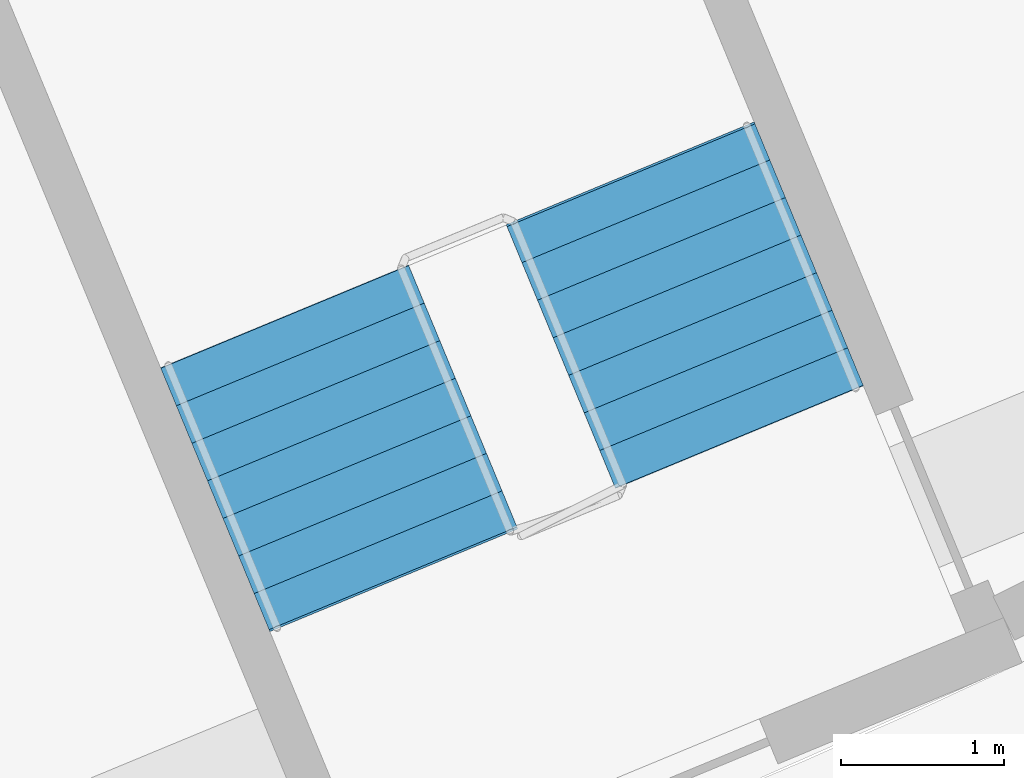
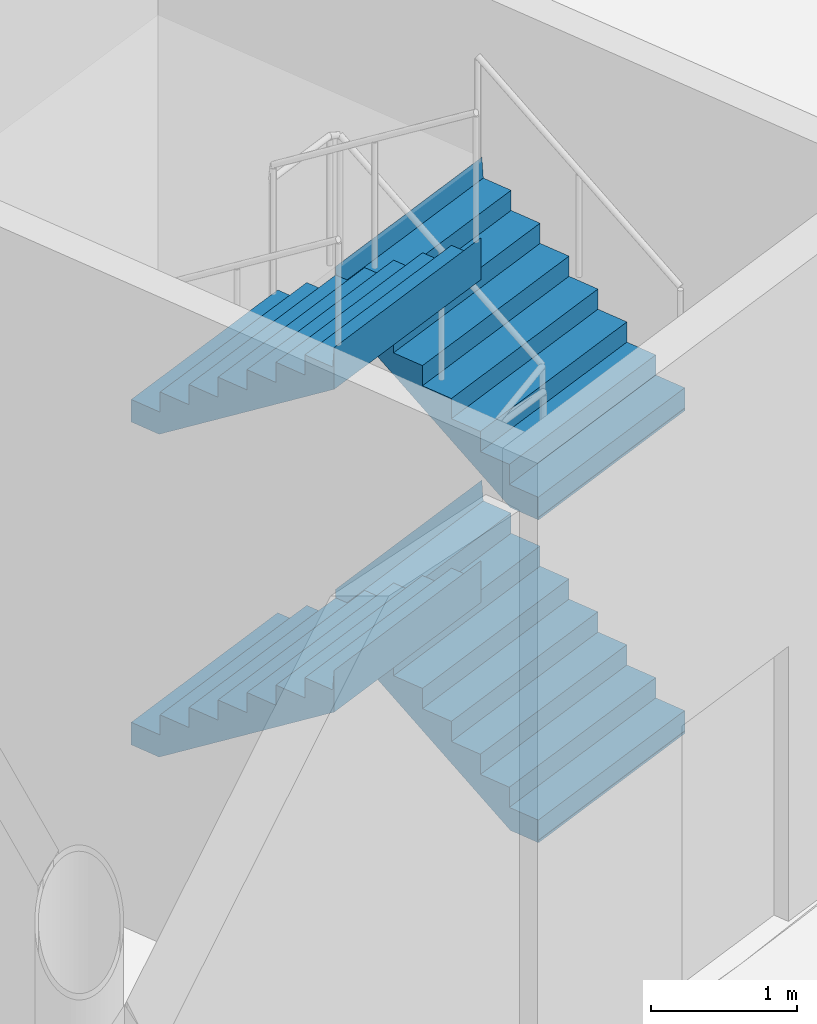
# One storey, part 30 of 41: 4 stair flights, 1 element without a shape of its own.
"""IFC4 building model written with IfcOpenShell, lengths in metres."""

from ifc_helpers import new_model, si_unit, direction, frame, origin, place, context, subcontext, project, spatial, triangles, material, type_object, element, aggregate, save


model = new_model("IFC4")

# Units and contexts
model_context = context("Model", 3, precision=1e-05, world=origin(), true_north=direction((0.0, 1.0)))
body_context = subcontext(model_context, "Body", "Model", "MODEL_VIEW")
ifc_project = project(units=[si_unit("LENGTHUNIT", "METRE"), si_unit("AREAUNIT", "SQUARE_METRE"), si_unit("VOLUMEUNIT", "CUBIC_METRE"), si_unit("PLANEANGLEUNIT", "RADIAN"), si_unit("MASSUNIT", "GRAM", prefix="KILO")], contexts=[model_context])

# Site, building, storey
site_placement = place(None, origin())
site = spatial("IfcSite", under=ifc_project, at=site_placement, CompositionType="ELEMENT")
building_placement = place(site_placement, origin())
building = spatial("IfcBuilding", under=site, at=building_placement, Name="Maasbend Ring Residences", CompositionType="ELEMENT")
storey_placement = place(building_placement, origin())
storey = spatial("IfcBuildingStorey", under=building, at=storey_placement, Name="L00", CompositionType="ELEMENT", Elevation=0.0)

# Stair, stair flights
ifc_material_1 = material(Name="Concrete C40/50", Category="concrete")
stair_type = type_object("IfcStairType", Name="CORE STAIR 32 RISERS", PredefinedType="HALF_TURN_STAIR", material=ifc_material_1)
stair_placement = place(storey_placement, origin())
stair = element("IfcStair", 1, at=stair_placement, inside=storey, type_object=stair_type, Name="L00 Exit stair ST-P2", PredefinedType="HALF_TURN_STAIR")
ifc_material_2 = material(Name="Concrete C40/50", Category="concrete")
stair_flight_type = type_object("IfcStairFlightType", Name="CORE STAIR FLIGHT 1650", PredefinedType="STRAIGHT", material=ifc_material_2)
stair_flight_1_placement = place(storey_placement, frame((17.900634765625, -40.210693359375, 0.0), z_axis=(0.0, 0.0, 1.0), x_axis=(-0.382683432365, 0.923879532511, 0.0)))
stair_flight_1 = element("IfcStairFlight", 2, at=stair_flight_1_placement, type_object=stair_flight_type, Name="ST-P2 flight 1", NumberOfRisers=8, NumberOfTreads=7, PredefinedType="STRAIGHT", RiserHeight=0.16875, TreadLength=0.25, context=body_context, shape_type="Tessellation", body=[
    triangles([(0.2412109375, 0.824951171875, -0.02001953125), (1.7529296875, 0.824951171875, 1.00048828125), (1.7529296875, 0.824951171875, 1.35009765625), (1.739990234375, 0.824951171875, 1.18115234375), (1.5, 0.824951171875, 1.18115234375), (1.5, 0.824951171875, 1.012451171875), (1.25, 0.824951171875, 1.012451171875), (1.25, 0.824951171875, 0.84375), (1.0, 0.824951171875, 0.84375), (1.0, 0.824951171875, 0.675048828125), (0.75, 0.824951171875, 0.675048828125), (0.75, 0.824951171875, 0.50634765625), (0.5, 0.824951171875, 0.50634765625), (0.5, 0.824951171875, 0.33740234375), (0.25, 0.824951171875, 0.33740234375), (0.25, 0.824951171875, 0.168701171875), (0.0, 0.824951171875, 0.168701171875), (0.0, 0.824951171875, 0.0), (-0.0029296875, 0.824951171875, 0.0), (-0.0029296875, 0.824951171875, -0.02001953125), (0.2412109375, 0.41259765625, -0.02001953125), (1.7529296875, 0.41259765625, 1.00048828125), (1.7529296875, 0.41259765625, 1.35009765625), (1.739990234375, 0.41259765625, 1.18115234375), (1.5, 0.41259765625, 1.18115234375), (1.5, 0.41259765625, 1.012451171875), (1.25, 0.41259765625, 1.012451171875), (1.25, 0.41259765625, 0.84375), (1.0, 0.41259765625, 0.84375), (1.0, 0.41259765625, 0.675048828125), (0.75, 0.41259765625, 0.675048828125), (0.75, 0.41259765625, 0.50634765625), (0.5, 0.41259765625, 0.50634765625), (0.5, 0.41259765625, 0.33740234375), (0.25, 0.41259765625, 0.33740234375), (0.25, 0.41259765625, 0.168701171875), (0.0, 0.41259765625, 0.168701171875), (0.0, 0.41259765625, 0.0), (-0.0029296875, 0.41259765625, 0.0), (-0.0029296875, 0.41259765625, -0.02001953125), (0.2412109375, 0.0, -0.02001953125), (1.7529296875, 0.0, 1.00048828125), (1.7529296875, 0.0, 1.35009765625), (1.739990234375, 0.0, 1.18115234375), (1.5, 0.0, 1.18115234375), (1.5, 0.0, 1.012451171875), (1.25, 0.0, 1.012451171875), (1.25, 0.0, 0.84375), (1.0, 0.0, 0.84375), (1.0, 0.0, 0.675048828125), (0.75, 0.0, 0.675048828125), (0.75, 0.0, 0.50634765625), (0.5, 0.0, 0.50634765625), (0.5, 0.0, 0.33740234375), (0.25, 0.0, 0.33740234375), (0.25, 0.0, 0.168701171875), (0.0, 0.0, 0.168701171875), (0.0, 0.0, 0.0), (-0.0029296875, 0.0, 0.0), (-0.0029296875, 0.0, -0.02001953125), (0.2412109375, -0.41259765625, -0.02001953125), (1.7529296875, -0.41259765625, 1.00048828125), (1.7529296875, -0.41259765625, 1.35009765625), (1.739990234375, -0.41259765625, 1.18115234375), (1.5, -0.41259765625, 1.18115234375), (1.5, -0.41259765625, 1.012451171875), (1.25, -0.41259765625, 1.012451171875), (1.25, -0.41259765625, 0.84375), (1.0, -0.41259765625, 0.84375), (1.0, -0.41259765625, 0.675048828125), (0.75, -0.41259765625, 0.675048828125), (0.75, -0.41259765625, 0.50634765625), (0.5, -0.41259765625, 0.50634765625), (0.5, -0.41259765625, 0.33740234375), (0.25, -0.41259765625, 0.33740234375), (0.25, -0.41259765625, 0.168701171875), (0.0, -0.41259765625, 0.168701171875), (0.0, -0.41259765625, 0.0), (-0.0029296875, -0.41259765625, 0.0), (-0.0029296875, -0.41259765625, -0.02001953125), (0.2412109375, -0.824951171875, -0.02001953125), (1.7529296875, -0.824951171875, 1.00048828125), (1.7529296875, -0.824951171875, 1.35009765625), (1.739990234375, -0.824951171875, 1.18115234375), (1.5, -0.824951171875, 1.18115234375), (1.5, -0.824951171875, 1.012451171875), (1.25, -0.824951171875, 1.012451171875), (1.25, -0.824951171875, 0.84375), (1.0, -0.824951171875, 0.84375), (1.0, -0.824951171875, 0.675048828125), (0.75, -0.824951171875, 0.675048828125), (0.75, -0.824951171875, 0.50634765625), (0.5, -0.824951171875, 0.50634765625), (0.5, -0.824951171875, 0.33740234375), (0.25, -0.824951171875, 0.33740234375), (0.25, -0.824951171875, 0.168701171875), (0.0, -0.824951171875, 0.168701171875), (0.0, -0.824951171875, 0.0), (-0.0029296875, -0.824951171875, 0.0), (-0.0029296875, -0.824951171875, -0.02001953125)], [[1, 2, 22], [1, 22, 21], [21, 22, 42], [21, 42, 41], [41, 42, 62], [41, 62, 61], [61, 62, 82], [61, 82, 81], [2, 3, 23], [2, 23, 22], [22, 23, 43], [22, 43, 42], [42, 43, 63], [42, 63, 62], [62, 63, 83], [62, 83, 82], [3, 4, 24], [3, 24, 23], [23, 24, 44], [23, 44, 43], [43, 44, 64], [43, 64, 63], [63, 64, 84], [63, 84, 83], [4, 5, 25], [4, 25, 24], [24, 25, 45], [24, 45, 44], [44, 45, 65], [44, 65, 64], [64, 65, 85], [64, 85, 84], [5, 6, 26], [5, 26, 25], [25, 26, 46], [25, 46, 45], [45, 46, 66], [45, 66, 65], [65, 66, 86], [65, 86, 85], [6, 7, 27], [6, 27, 26], [26, 27, 47], [26, 47, 46], [46, 47, 67], [46, 67, 66], [66, 67, 87], [66, 87, 86], [7, 8, 28], [7, 28, 27], [27, 28, 48], [27, 48, 47], [47, 48, 68], [47, 68, 67], [67, 68, 88], [67, 88, 87], [8, 9, 29], [8, 29, 28], [28, 29, 49], [28, 49, 48], [48, 49, 69], [48, 69, 68], [68, 69, 89], [68, 89, 88], [9, 10, 30], [9, 30, 29], [29, 30, 50], [29, 50, 49], [49, 50, 70], [49, 70, 69], [69, 70, 90], [69, 90, 89], [10, 11, 31], [10, 31, 30], [30, 31, 51], [30, 51, 50], [50, 51, 71], [50, 71, 70], [70, 71, 91], [70, 91, 90], [11, 12, 32], [11, 32, 31], [31, 32, 52], [31, 52, 51], [51, 52, 72], [51, 72, 71], [71, 72, 92], [71, 92, 91], [12, 13, 33], [12, 33, 32], [32, 33, 53], [32, 53, 52], [52, 53, 73], [52, 73, 72], [72, 73, 93], [72, 93, 92], [13, 14, 34], [13, 34, 33], [33, 34, 54], [33, 54, 53], [53, 54, 74], [53, 74, 73], [73, 74, 94], [73, 94, 93], [14, 15, 35], [14, 35, 34], [34, 35, 55], [34, 55, 54], [54, 55, 75], [54, 75, 74], [74, 75, 95], [74, 95, 94], [15, 16, 36], [15, 36, 35], [35, 36, 56], [35, 56, 55], [55, 56, 76], [55, 76, 75], [75, 76, 96], [75, 96, 95], [16, 17, 37], [16, 37, 36], [36, 37, 57], [36, 57, 56], [56, 57, 77], [56, 77, 76], [76, 77, 97], [76, 97, 96], [17, 18, 38], [17, 38, 37], [37, 38, 58], [37, 58, 57], [57, 58, 78], [57, 78, 77], [77, 78, 98], [77, 98, 97], [18, 19, 39], [18, 39, 38], [38, 39, 59], [38, 59, 58], [58, 59, 79], [58, 79, 78], [78, 79, 99], [78, 99, 98], [19, 20, 40], [19, 40, 39], [39, 40, 60], [39, 60, 59], [59, 60, 80], [59, 80, 79], [79, 80, 100], [79, 100, 99], [20, 1, 21], [20, 21, 40], [40, 21, 41], [40, 41, 60], [60, 41, 61], [60, 61, 80], [80, 61, 81], [80, 81, 100], [20, 2, 1], [2, 4, 3], [2, 5, 4], [2, 6, 5], [20, 6, 2], [6, 8, 7], [20, 8, 6], [8, 10, 9], [20, 10, 8], [10, 12, 11], [20, 12, 10], [12, 14, 13], [20, 14, 12], [14, 16, 15], [20, 16, 14], [16, 18, 17], [20, 18, 16], [18, 20, 19], [100, 81, 82], [82, 83, 84], [82, 84, 85], [82, 85, 86], [100, 82, 86], [86, 87, 88], [100, 86, 88], [88, 89, 90], [100, 88, 90], [90, 91, 92], [100, 90, 92], [92, 93, 94], [100, 92, 94], [94, 95, 96], [100, 94, 96], [96, 97, 98], [100, 96, 98], [98, 99, 100]], closed=True),
])
stair_flight_2_placement = place(storey_placement, frame((15.10595703125, -39.473876953125, 1.35009765625), z_axis=(0.0, 0.0, 1.0), x_axis=(0.382683432365, -0.923879532511, 0.0)))
stair_flight_2 = element("IfcStairFlight", 3, at=stair_flight_2_placement, type_object=stair_flight_type, Name="ST-P2 flight 2", NumberOfRisers=8, NumberOfTreads=7, PredefinedType="STRAIGHT", RiserHeight=0.16875, TreadLength=0.25, context=body_context, shape_type="Tessellation", body=[
    triangles([(0.2412109375, 0.824951171875, -0.02001953125), (1.7529296875, 0.824951171875, 1.00048828125), (1.7529296875, 0.824951171875, 1.35009765625), (1.739990234375, 0.824951171875, 1.18115234375), (1.5, 0.824951171875, 1.18115234375), (1.5, 0.824951171875, 1.012451171875), (1.25, 0.824951171875, 1.012451171875), (1.25, 0.824951171875, 0.84375), (1.0, 0.824951171875, 0.84375), (1.0, 0.824951171875, 0.675048828125), (0.75, 0.824951171875, 0.675048828125), (0.75, 0.824951171875, 0.50634765625), (0.5, 0.824951171875, 0.50634765625), (0.5, 0.824951171875, 0.33740234375), (0.25, 0.824951171875, 0.33740234375), (0.25, 0.824951171875, 0.168701171875), (0.0, 0.824951171875, 0.168701171875), (0.0, 0.824951171875, 0.0), (-0.0029296875, 0.824951171875, 0.0), (-0.0029296875, 0.824951171875, -0.02001953125), (0.2412109375, 0.41259765625, -0.02001953125), (1.7529296875, 0.41259765625, 1.00048828125), (1.7529296875, 0.41259765625, 1.35009765625), (1.739990234375, 0.41259765625, 1.18115234375), (1.5, 0.41259765625, 1.18115234375), (1.5, 0.41259765625, 1.012451171875), (1.25, 0.41259765625, 1.012451171875), (1.25, 0.41259765625, 0.84375), (1.0, 0.41259765625, 0.84375), (1.0, 0.41259765625, 0.675048828125), (0.75, 0.41259765625, 0.675048828125), (0.75, 0.41259765625, 0.50634765625), (0.5, 0.41259765625, 0.50634765625), (0.5, 0.41259765625, 0.33740234375), (0.25, 0.41259765625, 0.33740234375), (0.25, 0.41259765625, 0.168701171875), (0.0, 0.41259765625, 0.168701171875), (0.0, 0.41259765625, 0.0), (-0.0029296875, 0.41259765625, 0.0), (-0.0029296875, 0.41259765625, -0.02001953125), (0.2412109375, 0.0, -0.02001953125), (1.7529296875, 0.0, 1.00048828125), (1.7529296875, 0.0, 1.35009765625), (1.739990234375, 0.0, 1.18115234375), (1.5, 0.0, 1.18115234375), (1.5, 0.0, 1.012451171875), (1.25, 0.0, 1.012451171875), (1.25, 0.0, 0.84375), (1.0, 0.0, 0.84375), (1.0, 0.0, 0.675048828125), (0.75, 0.0, 0.675048828125), (0.75, 0.0, 0.50634765625), (0.5, 0.0, 0.50634765625), (0.5, 0.0, 0.33740234375), (0.25, 0.0, 0.33740234375), (0.25, 0.0, 0.168701171875), (0.0, 0.0, 0.168701171875), (0.0, 0.0, 0.0), (-0.0029296875, 0.0, 0.0), (-0.0029296875, 0.0, -0.02001953125), (0.2412109375, -0.41259765625, -0.02001953125), (1.7529296875, -0.41259765625, 1.00048828125), (1.7529296875, -0.41259765625, 1.35009765625), (1.739990234375, -0.41259765625, 1.18115234375), (1.5, -0.41259765625, 1.18115234375), (1.5, -0.41259765625, 1.012451171875), (1.25, -0.41259765625, 1.012451171875), (1.25, -0.41259765625, 0.84375), (1.0, -0.41259765625, 0.84375), (1.0, -0.41259765625, 0.675048828125), (0.75, -0.41259765625, 0.675048828125), (0.75, -0.41259765625, 0.50634765625), (0.5, -0.41259765625, 0.50634765625), (0.5, -0.41259765625, 0.33740234375), (0.25, -0.41259765625, 0.33740234375), (0.25, -0.41259765625, 0.168701171875), (0.0, -0.41259765625, 0.168701171875), (0.0, -0.41259765625, 0.0), (-0.0029296875, -0.41259765625, 0.0), (-0.0029296875, -0.41259765625, -0.02001953125), (0.2412109375, -0.824951171875, -0.02001953125), (1.7529296875, -0.824951171875, 1.00048828125), (1.7529296875, -0.824951171875, 1.35009765625), (1.739990234375, -0.824951171875, 1.18115234375), (1.5, -0.824951171875, 1.18115234375), (1.5, -0.824951171875, 1.012451171875), (1.25, -0.824951171875, 1.012451171875), (1.25, -0.824951171875, 0.84375), (1.0, -0.824951171875, 0.84375), (1.0, -0.824951171875, 0.675048828125), (0.75, -0.824951171875, 0.675048828125), (0.75, -0.824951171875, 0.50634765625), (0.5, -0.824951171875, 0.50634765625), (0.5, -0.824951171875, 0.33740234375), (0.25, -0.824951171875, 0.33740234375), (0.25, -0.824951171875, 0.168701171875), (0.0, -0.824951171875, 0.168701171875), (0.0, -0.824951171875, 0.0), (-0.0029296875, -0.824951171875, 0.0), (-0.0029296875, -0.824951171875, -0.02001953125)], [[1, 2, 22], [1, 22, 21], [21, 22, 42], [21, 42, 41], [41, 42, 62], [41, 62, 61], [61, 62, 82], [61, 82, 81], [2, 3, 23], [2, 23, 22], [22, 23, 43], [22, 43, 42], [42, 43, 63], [42, 63, 62], [62, 63, 83], [62, 83, 82], [3, 4, 24], [3, 24, 23], [23, 24, 44], [23, 44, 43], [43, 44, 64], [43, 64, 63], [63, 64, 84], [63, 84, 83], [4, 5, 25], [4, 25, 24], [24, 25, 45], [24, 45, 44], [44, 45, 65], [44, 65, 64], [64, 65, 85], [64, 85, 84], [5, 6, 26], [5, 26, 25], [25, 26, 46], [25, 46, 45], [45, 46, 66], [45, 66, 65], [65, 66, 86], [65, 86, 85], [6, 7, 27], [6, 27, 26], [26, 27, 47], [26, 47, 46], [46, 47, 67], [46, 67, 66], [66, 67, 87], [66, 87, 86], [7, 8, 28], [7, 28, 27], [27, 28, 48], [27, 48, 47], [47, 48, 68], [47, 68, 67], [67, 68, 88], [67, 88, 87], [8, 9, 29], [8, 29, 28], [28, 29, 49], [28, 49, 48], [48, 49, 69], [48, 69, 68], [68, 69, 89], [68, 89, 88], [9, 10, 30], [9, 30, 29], [29, 30, 50], [29, 50, 49], [49, 50, 70], [49, 70, 69], [69, 70, 90], [69, 90, 89], [10, 11, 31], [10, 31, 30], [30, 31, 51], [30, 51, 50], [50, 51, 71], [50, 71, 70], [70, 71, 91], [70, 91, 90], [11, 12, 32], [11, 32, 31], [31, 32, 52], [31, 52, 51], [51, 52, 72], [51, 72, 71], [71, 72, 92], [71, 92, 91], [12, 13, 33], [12, 33, 32], [32, 33, 53], [32, 53, 52], [52, 53, 73], [52, 73, 72], [72, 73, 93], [72, 93, 92], [13, 14, 34], [13, 34, 33], [33, 34, 54], [33, 54, 53], [53, 54, 74], [53, 74, 73], [73, 74, 94], [73, 94, 93], [14, 15, 35], [14, 35, 34], [34, 35, 55], [34, 55, 54], [54, 55, 75], [54, 75, 74], [74, 75, 95], [74, 95, 94], [15, 16, 36], [15, 36, 35], [35, 36, 56], [35, 56, 55], [55, 56, 76], [55, 76, 75], [75, 76, 96], [75, 96, 95], [16, 17, 37], [16, 37, 36], [36, 37, 57], [36, 57, 56], [56, 57, 77], [56, 77, 76], [76, 77, 97], [76, 97, 96], [17, 18, 38], [17, 38, 37], [37, 38, 58], [37, 58, 57], [57, 58, 78], [57, 78, 77], [77, 78, 98], [77, 98, 97], [18, 19, 39], [18, 39, 38], [38, 39, 59], [38, 59, 58], [58, 59, 79], [58, 79, 78], [78, 79, 99], [78, 99, 98], [19, 20, 40], [19, 40, 39], [39, 40, 60], [39, 60, 59], [59, 60, 80], [59, 80, 79], [79, 80, 100], [79, 100, 99], [20, 1, 21], [20, 21, 40], [40, 21, 41], [40, 41, 60], [60, 41, 61], [60, 61, 80], [80, 61, 81], [80, 81, 100], [20, 2, 1], [2, 4, 3], [2, 5, 4], [2, 6, 5], [20, 6, 2], [6, 8, 7], [20, 8, 6], [8, 10, 9], [20, 10, 8], [10, 12, 11], [20, 12, 10], [12, 14, 13], [20, 14, 12], [14, 16, 15], [20, 16, 14], [16, 18, 17], [20, 18, 16], [18, 20, 19], [100, 81, 82], [82, 83, 84], [82, 84, 85], [82, 85, 86], [100, 82, 86], [86, 87, 88], [100, 86, 88], [88, 89, 90], [100, 88, 90], [90, 91, 92], [100, 90, 92], [92, 93, 94], [100, 92, 94], [94, 95, 96], [100, 94, 96], [96, 97, 98], [100, 96, 98], [98, 99, 100]], closed=True),
])
stair_flight_3_placement = place(storey_placement, frame((17.900634765625, -40.210693359375, 2.699951171875), z_axis=(0.0, 0.0, 1.0), x_axis=(-0.382683432365, 0.923879532511, 0.0)))
stair_flight_3 = element("IfcStairFlight", 4, at=stair_flight_3_placement, type_object=stair_flight_type, Name="ST-P2 flight 3", NumberOfRisers=8, NumberOfTreads=7, PredefinedType="STRAIGHT", RiserHeight=0.16875, TreadLength=0.25, context=body_context, shape_type="Tessellation", body=[
    triangles([(0.2412109375, 0.824951171875, -0.02001953125), (1.7529296875, 0.824951171875, 1.00048828125), (1.7529296875, 0.824951171875, 1.35009765625), (1.739990234375, 0.824951171875, 1.18115234375), (1.5, 0.824951171875, 1.18115234375), (1.5, 0.824951171875, 1.012451171875), (1.25, 0.824951171875, 1.012451171875), (1.25, 0.824951171875, 0.84375), (1.0, 0.824951171875, 0.84375), (1.0, 0.824951171875, 0.675048828125), (0.75, 0.824951171875, 0.675048828125), (0.75, 0.824951171875, 0.50634765625), (0.5, 0.824951171875, 0.50634765625), (0.5, 0.824951171875, 0.33740234375), (0.25, 0.824951171875, 0.33740234375), (0.25, 0.824951171875, 0.168701171875), (0.0, 0.824951171875, 0.168701171875), (0.0, 0.824951171875, 0.0), (-0.0029296875, 0.824951171875, 0.0), (-0.0029296875, 0.824951171875, -0.02001953125), (0.2412109375, 0.41259765625, -0.02001953125), (1.7529296875, 0.41259765625, 1.00048828125), (1.7529296875, 0.41259765625, 1.35009765625), (1.739990234375, 0.41259765625, 1.18115234375), (1.5, 0.41259765625, 1.18115234375), (1.5, 0.41259765625, 1.012451171875), (1.25, 0.41259765625, 1.012451171875), (1.25, 0.41259765625, 0.84375), (1.0, 0.41259765625, 0.84375), (1.0, 0.41259765625, 0.675048828125), (0.75, 0.41259765625, 0.675048828125), (0.75, 0.41259765625, 0.50634765625), (0.5, 0.41259765625, 0.50634765625), (0.5, 0.41259765625, 0.33740234375), (0.25, 0.41259765625, 0.33740234375), (0.25, 0.41259765625, 0.168701171875), (0.0, 0.41259765625, 0.168701171875), (0.0, 0.41259765625, 0.0), (-0.0029296875, 0.41259765625, 0.0), (-0.0029296875, 0.41259765625, -0.02001953125), (0.2412109375, 0.0, -0.02001953125), (1.7529296875, 0.0, 1.00048828125), (1.7529296875, 0.0, 1.35009765625), (1.739990234375, 0.0, 1.18115234375), (1.5, 0.0, 1.18115234375), (1.5, 0.0, 1.012451171875), (1.25, 0.0, 1.012451171875), (1.25, 0.0, 0.84375), (1.0, 0.0, 0.84375), (1.0, 0.0, 0.675048828125), (0.75, 0.0, 0.675048828125), (0.75, 0.0, 0.50634765625), (0.5, 0.0, 0.50634765625), (0.5, 0.0, 0.33740234375), (0.25, 0.0, 0.33740234375), (0.25, 0.0, 0.168701171875), (0.0, 0.0, 0.168701171875), (0.0, 0.0, 0.0), (-0.0029296875, 0.0, 0.0), (-0.0029296875, 0.0, -0.02001953125), (0.2412109375, -0.41259765625, -0.02001953125), (1.7529296875, -0.41259765625, 1.00048828125), (1.7529296875, -0.41259765625, 1.35009765625), (1.739990234375, -0.41259765625, 1.18115234375), (1.5, -0.41259765625, 1.18115234375), (1.5, -0.41259765625, 1.012451171875), (1.25, -0.41259765625, 1.012451171875), (1.25, -0.41259765625, 0.84375), (1.0, -0.41259765625, 0.84375), (1.0, -0.41259765625, 0.675048828125), (0.75, -0.41259765625, 0.675048828125), (0.75, -0.41259765625, 0.50634765625), (0.5, -0.41259765625, 0.50634765625), (0.5, -0.41259765625, 0.33740234375), (0.25, -0.41259765625, 0.33740234375), (0.25, -0.41259765625, 0.168701171875), (0.0, -0.41259765625, 0.168701171875), (0.0, -0.41259765625, 0.0), (-0.0029296875, -0.41259765625, 0.0), (-0.0029296875, -0.41259765625, -0.02001953125), (0.2412109375, -0.824951171875, -0.02001953125), (1.7529296875, -0.824951171875, 1.00048828125), (1.7529296875, -0.824951171875, 1.35009765625), (1.739990234375, -0.824951171875, 1.18115234375), (1.5, -0.824951171875, 1.18115234375), (1.5, -0.824951171875, 1.012451171875), (1.25, -0.824951171875, 1.012451171875), (1.25, -0.824951171875, 0.84375), (1.0, -0.824951171875, 0.84375), (1.0, -0.824951171875, 0.675048828125), (0.75, -0.824951171875, 0.675048828125), (0.75, -0.824951171875, 0.50634765625), (0.5, -0.824951171875, 0.50634765625), (0.5, -0.824951171875, 0.33740234375), (0.25, -0.824951171875, 0.33740234375), (0.25, -0.824951171875, 0.168701171875), (0.0, -0.824951171875, 0.168701171875), (0.0, -0.824951171875, 0.0), (-0.0029296875, -0.824951171875, 0.0), (-0.0029296875, -0.824951171875, -0.02001953125)], [[1, 2, 22], [1, 22, 21], [21, 22, 42], [21, 42, 41], [41, 42, 62], [41, 62, 61], [61, 62, 82], [61, 82, 81], [2, 3, 23], [2, 23, 22], [22, 23, 43], [22, 43, 42], [42, 43, 63], [42, 63, 62], [62, 63, 83], [62, 83, 82], [3, 4, 24], [3, 24, 23], [23, 24, 44], [23, 44, 43], [43, 44, 64], [43, 64, 63], [63, 64, 84], [63, 84, 83], [4, 5, 25], [4, 25, 24], [24, 25, 45], [24, 45, 44], [44, 45, 65], [44, 65, 64], [64, 65, 85], [64, 85, 84], [5, 6, 26], [5, 26, 25], [25, 26, 46], [25, 46, 45], [45, 46, 66], [45, 66, 65], [65, 66, 86], [65, 86, 85], [6, 7, 27], [6, 27, 26], [26, 27, 47], [26, 47, 46], [46, 47, 67], [46, 67, 66], [66, 67, 87], [66, 87, 86], [7, 8, 28], [7, 28, 27], [27, 28, 48], [27, 48, 47], [47, 48, 68], [47, 68, 67], [67, 68, 88], [67, 88, 87], [8, 9, 29], [8, 29, 28], [28, 29, 49], [28, 49, 48], [48, 49, 69], [48, 69, 68], [68, 69, 89], [68, 89, 88], [9, 10, 30], [9, 30, 29], [29, 30, 50], [29, 50, 49], [49, 50, 70], [49, 70, 69], [69, 70, 90], [69, 90, 89], [10, 11, 31], [10, 31, 30], [30, 31, 51], [30, 51, 50], [50, 51, 71], [50, 71, 70], [70, 71, 91], [70, 91, 90], [11, 12, 32], [11, 32, 31], [31, 32, 52], [31, 52, 51], [51, 52, 72], [51, 72, 71], [71, 72, 92], [71, 92, 91], [12, 13, 33], [12, 33, 32], [32, 33, 53], [32, 53, 52], [52, 53, 73], [52, 73, 72], [72, 73, 93], [72, 93, 92], [13, 14, 34], [13, 34, 33], [33, 34, 54], [33, 54, 53], [53, 54, 74], [53, 74, 73], [73, 74, 94], [73, 94, 93], [14, 15, 35], [14, 35, 34], [34, 35, 55], [34, 55, 54], [54, 55, 75], [54, 75, 74], [74, 75, 95], [74, 95, 94], [15, 16, 36], [15, 36, 35], [35, 36, 56], [35, 56, 55], [55, 56, 76], [55, 76, 75], [75, 76, 96], [75, 96, 95], [16, 17, 37], [16, 37, 36], [36, 37, 57], [36, 57, 56], [56, 57, 77], [56, 77, 76], [76, 77, 97], [76, 97, 96], [17, 18, 38], [17, 38, 37], [37, 38, 58], [37, 58, 57], [57, 58, 78], [57, 78, 77], [77, 78, 98], [77, 98, 97], [18, 19, 39], [18, 39, 38], [38, 39, 59], [38, 59, 58], [58, 59, 79], [58, 79, 78], [78, 79, 99], [78, 99, 98], [19, 20, 40], [19, 40, 39], [39, 40, 60], [39, 60, 59], [59, 60, 80], [59, 80, 79], [79, 80, 100], [79, 100, 99], [20, 1, 21], [20, 21, 40], [40, 21, 41], [40, 41, 60], [60, 41, 61], [60, 61, 80], [80, 61, 81], [80, 81, 100], [20, 2, 1], [2, 4, 3], [2, 5, 4], [2, 6, 5], [20, 6, 2], [6, 8, 7], [20, 8, 6], [8, 10, 9], [20, 10, 8], [10, 12, 11], [20, 12, 10], [12, 14, 13], [20, 14, 12], [14, 16, 15], [20, 16, 14], [16, 18, 17], [20, 18, 16], [18, 20, 19], [100, 81, 82], [82, 83, 84], [82, 84, 85], [82, 85, 86], [100, 82, 86], [86, 87, 88], [100, 86, 88], [88, 89, 90], [100, 88, 90], [90, 91, 92], [100, 90, 92], [92, 93, 94], [100, 92, 94], [94, 95, 96], [100, 94, 96], [96, 97, 98], [100, 96, 98], [98, 99, 100]], closed=True),
])
stair_flight_4_placement = place(storey_placement, frame((15.10595703125, -39.473876953125, 4.050048828125), z_axis=(0.0, 0.0, 1.0), x_axis=(0.382683432365, -0.923879532511, 0.0)))
stair_flight_4 = element("IfcStairFlight", 5, at=stair_flight_4_placement, type_object=stair_flight_type, Name="ST-P2 flight 4", NumberOfRisers=8, NumberOfTreads=7, PredefinedType="STRAIGHT", RiserHeight=0.16875, TreadLength=0.25, context=body_context, shape_type="Tessellation", body=[
    triangles([(0.2412109375, 0.824951171875, -0.02001953125), (1.7529296875, 0.824951171875, 1.00048828125), (1.7529296875, 0.824951171875, 1.35009765625), (1.739990234375, 0.824951171875, 1.18115234375), (1.5, 0.824951171875, 1.18115234375), (1.5, 0.824951171875, 1.012451171875), (1.25, 0.824951171875, 1.012451171875), (1.25, 0.824951171875, 0.84375), (1.0, 0.824951171875, 0.84375), (1.0, 0.824951171875, 0.675048828125), (0.75, 0.824951171875, 0.675048828125), (0.75, 0.824951171875, 0.50634765625), (0.5, 0.824951171875, 0.50634765625), (0.5, 0.824951171875, 0.33740234375), (0.25, 0.824951171875, 0.33740234375), (0.25, 0.824951171875, 0.168701171875), (0.0, 0.824951171875, 0.168701171875), (0.0, 0.824951171875, 0.0), (-0.0029296875, 0.824951171875, 0.0), (-0.0029296875, 0.824951171875, -0.02001953125), (0.2412109375, 0.41259765625, -0.02001953125), (1.7529296875, 0.41259765625, 1.00048828125), (1.7529296875, 0.41259765625, 1.35009765625), (1.739990234375, 0.41259765625, 1.18115234375), (1.5, 0.41259765625, 1.18115234375), (1.5, 0.41259765625, 1.012451171875), (1.25, 0.41259765625, 1.012451171875), (1.25, 0.41259765625, 0.84375), (1.0, 0.41259765625, 0.84375), (1.0, 0.41259765625, 0.675048828125), (0.75, 0.41259765625, 0.675048828125), (0.75, 0.41259765625, 0.50634765625), (0.5, 0.41259765625, 0.50634765625), (0.5, 0.41259765625, 0.33740234375), (0.25, 0.41259765625, 0.33740234375), (0.25, 0.41259765625, 0.168701171875), (0.0, 0.41259765625, 0.168701171875), (0.0, 0.41259765625, 0.0), (-0.0029296875, 0.41259765625, 0.0), (-0.0029296875, 0.41259765625, -0.02001953125), (0.2412109375, 0.0, -0.02001953125), (1.7529296875, 0.0, 1.00048828125), (1.7529296875, 0.0, 1.35009765625), (1.739990234375, 0.0, 1.18115234375), (1.5, 0.0, 1.18115234375), (1.5, 0.0, 1.012451171875), (1.25, 0.0, 1.012451171875), (1.25, 0.0, 0.84375), (1.0, 0.0, 0.84375), (1.0, 0.0, 0.675048828125), (0.75, 0.0, 0.675048828125), (0.75, 0.0, 0.50634765625), (0.5, 0.0, 0.50634765625), (0.5, 0.0, 0.33740234375), (0.25, 0.0, 0.33740234375), (0.25, 0.0, 0.168701171875), (0.0, 0.0, 0.168701171875), (0.0, 0.0, 0.0), (-0.0029296875, 0.0, 0.0), (-0.0029296875, 0.0, -0.02001953125), (0.2412109375, -0.41259765625, -0.02001953125), (1.7529296875, -0.41259765625, 1.00048828125), (1.7529296875, -0.41259765625, 1.35009765625), (1.739990234375, -0.41259765625, 1.18115234375), (1.5, -0.41259765625, 1.18115234375), (1.5, -0.41259765625, 1.012451171875), (1.25, -0.41259765625, 1.012451171875), (1.25, -0.41259765625, 0.84375), (1.0, -0.41259765625, 0.84375), (1.0, -0.41259765625, 0.675048828125), (0.75, -0.41259765625, 0.675048828125), (0.75, -0.41259765625, 0.50634765625), (0.5, -0.41259765625, 0.50634765625), (0.5, -0.41259765625, 0.33740234375), (0.25, -0.41259765625, 0.33740234375), (0.25, -0.41259765625, 0.168701171875), (0.0, -0.41259765625, 0.168701171875), (0.0, -0.41259765625, 0.0), (-0.0029296875, -0.41259765625, 0.0), (-0.0029296875, -0.41259765625, -0.02001953125), (0.2412109375, -0.824951171875, -0.02001953125), (1.7529296875, -0.824951171875, 1.00048828125), (1.7529296875, -0.824951171875, 1.35009765625), (1.739990234375, -0.824951171875, 1.18115234375), (1.5, -0.824951171875, 1.18115234375), (1.5, -0.824951171875, 1.012451171875), (1.25, -0.824951171875, 1.012451171875), (1.25, -0.824951171875, 0.84375), (1.0, -0.824951171875, 0.84375), (1.0, -0.824951171875, 0.675048828125), (0.75, -0.824951171875, 0.675048828125), (0.75, -0.824951171875, 0.50634765625), (0.5, -0.824951171875, 0.50634765625), (0.5, -0.824951171875, 0.33740234375), (0.25, -0.824951171875, 0.33740234375), (0.25, -0.824951171875, 0.168701171875), (0.0, -0.824951171875, 0.168701171875), (0.0, -0.824951171875, 0.0), (-0.0029296875, -0.824951171875, 0.0), (-0.0029296875, -0.824951171875, -0.02001953125)], [[1, 2, 22], [1, 22, 21], [21, 22, 42], [21, 42, 41], [41, 42, 62], [41, 62, 61], [61, 62, 82], [61, 82, 81], [2, 3, 23], [2, 23, 22], [22, 23, 43], [22, 43, 42], [42, 43, 63], [42, 63, 62], [62, 63, 83], [62, 83, 82], [3, 4, 24], [3, 24, 23], [23, 24, 44], [23, 44, 43], [43, 44, 64], [43, 64, 63], [63, 64, 84], [63, 84, 83], [4, 5, 25], [4, 25, 24], [24, 25, 45], [24, 45, 44], [44, 45, 65], [44, 65, 64], [64, 65, 85], [64, 85, 84], [5, 6, 26], [5, 26, 25], [25, 26, 46], [25, 46, 45], [45, 46, 66], [45, 66, 65], [65, 66, 86], [65, 86, 85], [6, 7, 27], [6, 27, 26], [26, 27, 47], [26, 47, 46], [46, 47, 67], [46, 67, 66], [66, 67, 87], [66, 87, 86], [7, 8, 28], [7, 28, 27], [27, 28, 48], [27, 48, 47], [47, 48, 68], [47, 68, 67], [67, 68, 88], [67, 88, 87], [8, 9, 29], [8, 29, 28], [28, 29, 49], [28, 49, 48], [48, 49, 69], [48, 69, 68], [68, 69, 89], [68, 89, 88], [9, 10, 30], [9, 30, 29], [29, 30, 50], [29, 50, 49], [49, 50, 70], [49, 70, 69], [69, 70, 90], [69, 90, 89], [10, 11, 31], [10, 31, 30], [30, 31, 51], [30, 51, 50], [50, 51, 71], [50, 71, 70], [70, 71, 91], [70, 91, 90], [11, 12, 32], [11, 32, 31], [31, 32, 52], [31, 52, 51], [51, 52, 72], [51, 72, 71], [71, 72, 92], [71, 92, 91], [12, 13, 33], [12, 33, 32], [32, 33, 53], [32, 53, 52], [52, 53, 73], [52, 73, 72], [72, 73, 93], [72, 93, 92], [13, 14, 34], [13, 34, 33], [33, 34, 54], [33, 54, 53], [53, 54, 74], [53, 74, 73], [73, 74, 94], [73, 94, 93], [14, 15, 35], [14, 35, 34], [34, 35, 55], [34, 55, 54], [54, 55, 75], [54, 75, 74], [74, 75, 95], [74, 95, 94], [15, 16, 36], [15, 36, 35], [35, 36, 56], [35, 56, 55], [55, 56, 76], [55, 76, 75], [75, 76, 96], [75, 96, 95], [16, 17, 37], [16, 37, 36], [36, 37, 57], [36, 57, 56], [56, 57, 77], [56, 77, 76], [76, 77, 97], [76, 97, 96], [17, 18, 38], [17, 38, 37], [37, 38, 58], [37, 58, 57], [57, 58, 78], [57, 78, 77], [77, 78, 98], [77, 98, 97], [18, 19, 39], [18, 39, 38], [38, 39, 59], [38, 59, 58], [58, 59, 79], [58, 79, 78], [78, 79, 99], [78, 99, 98], [19, 20, 40], [19, 40, 39], [39, 40, 60], [39, 60, 59], [59, 60, 80], [59, 80, 79], [79, 80, 100], [79, 100, 99], [20, 1, 21], [20, 21, 40], [40, 21, 41], [40, 41, 60], [60, 41, 61], [60, 61, 80], [80, 61, 81], [80, 81, 100], [20, 2, 1], [2, 4, 3], [2, 5, 4], [2, 6, 5], [20, 6, 2], [6, 8, 7], [20, 8, 6], [8, 10, 9], [20, 10, 8], [10, 12, 11], [20, 12, 10], [12, 14, 13], [20, 14, 12], [14, 16, 15], [20, 16, 14], [16, 18, 17], [20, 18, 16], [18, 20, 19], [100, 81, 82], [82, 83, 84], [82, 84, 85], [82, 85, 86], [100, 82, 86], [86, 87, 88], [100, 86, 88], [88, 89, 90], [100, 88, 90], [90, 91, 92], [100, 90, 92], [92, 93, 94], [100, 92, 94], [94, 95, 96], [100, 94, 96], [96, 97, 98], [100, 96, 98], [98, 99, 100]], closed=True),
])
aggregate(stair, [stair_flight_1, stair_flight_2, stair_flight_3, stair_flight_4])

save(model, "model.ifc")
